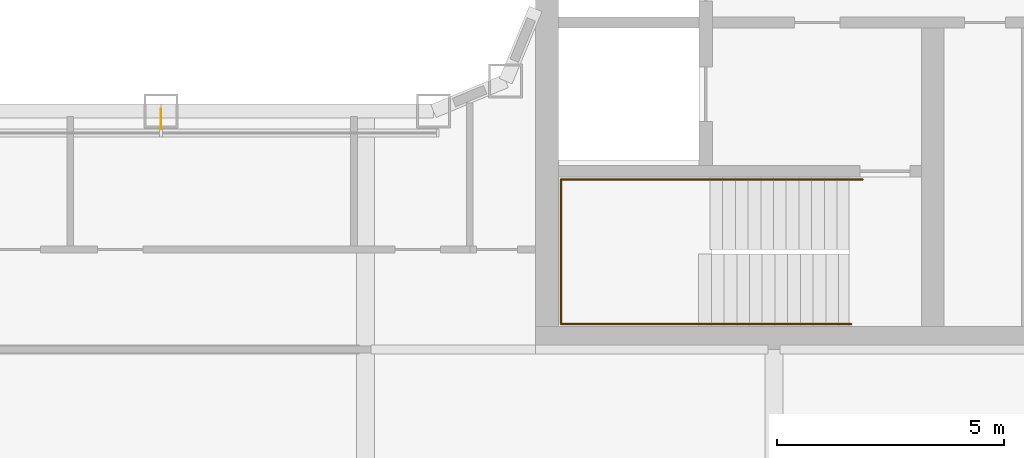
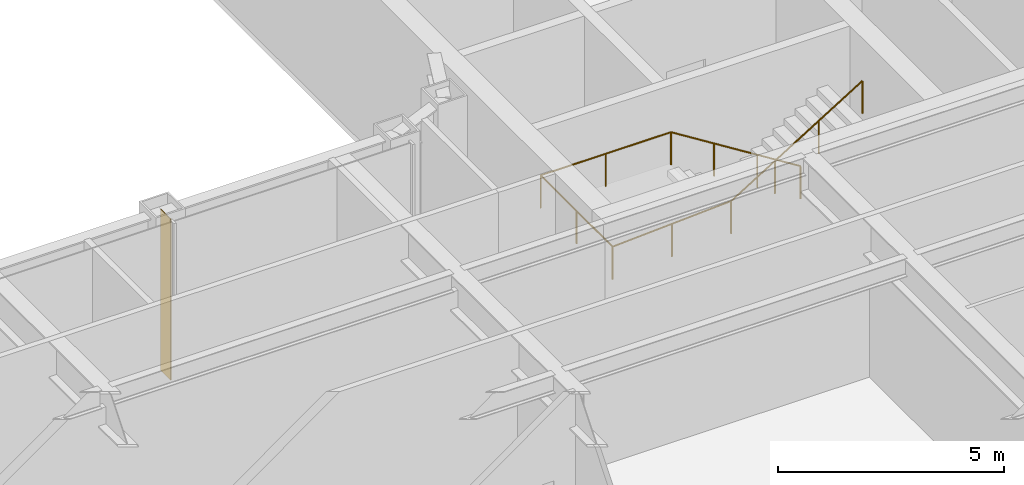
# One storey, part 25 of 29: 1 railing, 1 shading device.
"""IFC4 building model written with IfcOpenShell, lengths in metres."""

from ifc_helpers import new_model, si_unit, direction, frame, origin, origin_2d, place, context, subcontext, project, spatial, rectangle, circle, extrude, material, layer, layer_set, type_object, element, save


model = new_model("IFC4")

# Units and contexts
model_context = context("Model", 3, precision=1e-05, world=origin(), true_north=direction((0.0, 1.0)))
body_context = subcontext(model_context, "Body", "Model", "MODEL_VIEW")
ifc_project = project(units=[si_unit("LENGTHUNIT", "METRE"), si_unit("AREAUNIT", "SQUARE_METRE"), si_unit("VOLUMEUNIT", "CUBIC_METRE"), si_unit("PLANEANGLEUNIT", "RADIAN"), si_unit("MASSUNIT", "GRAM", prefix="KILO")], contexts=[model_context])

# Site, building, storey
site_placement = place(None, origin())
site = spatial("IfcSite", under=ifc_project, at=site_placement, CompositionType="ELEMENT")
building_placement = place(site_placement, origin())
building = spatial("IfcBuilding", under=site, at=building_placement, Name="Siwar Civic Tower", CompositionType="ELEMENT")
storey_placement = place(building_placement, frame((0.0, 0.0, 67.199951171875)))
storey = spatial("IfcBuildingStorey", under=building, at=storey_placement, Name="L14", CompositionType="ELEMENT", Elevation=67.199951171875)

# Railing
ifc_material_1 = material(Name="Stainless steel", Category="steel")
railing_type = type_object("IfcRailingType", Name="CORE-STAIR-HANDRAIL", PredefinedType="HANDRAIL", material=ifc_material_1)
railing_placement = place(storey_placement, frame((15.449951171875, -9.758056640625, 0.173095703125)))
element("IfcRailing", 1, at=railing_placement, inside=storey, type_object=railing_type, Name="Stair handrail ST4", PredefinedType="HANDRAIL", context=body_context, shape_type="SweptSolid", body=[
    extrude(circle(Radius=0.02001953125, at=origin_2d()), frame((0.0, 0.0, 0.8798828125), z_axis=(-0.847063342986, 0.0, 0.531491950051), x_axis=(0.0, -1.0, 0.0)), (0.0, 0.0, 1.0), 3.90771484375),
    extrude(circle(Radius=0.02001953125, at=origin_2d()), frame((-3.31005859375, 0.0, 2.956787109375), z_axis=(-1.0, 0.0, 0.0), x_axis=(0.0, -1.0, 0.0)), (0.0, 0.0, 1.0), 3.331787109375),
    extrude(circle(Radius=0.02001953125, at=origin_2d()), frame((-6.641845703125, 0.0, 2.956787109375), z_axis=(0.0, -1.0, 0.0), x_axis=(1.0, 0.0, 0.0)), (0.0, 0.0, 1.0), 3.183837890625),
    extrude(circle(Radius=0.02001953125, at=origin_2d()), frame((-6.641845703125, -3.183837890625, 2.956787109375), z_axis=(0.99837434197, 0.0, 0.056997134106), x_axis=(0.0, 1.0, 0.0)), (0.0, 0.0, 1.0), 3.036865234375),
    extrude(circle(Radius=0.02001953125, at=origin_2d()), frame((-3.60986328125, -3.183837890625, 3.1298828125), z_axis=(0.850606129759, 0.0, 0.525803396734), x_axis=(0.0, 1.0, 0.0)), (0.0, 0.0, 1.0), 3.949951171875),
    extrude(circle(Radius=0.02001953125, at=origin_2d()), origin(), (0.0, 0.0, 1.0), 0.85986328125),
    extrude(circle(Radius=0.02001953125, at=origin_2d()), frame((-1.103271484375, 0.0, 0.6923828125)), (0.0, 0.0, 1.0), 0.85986328125),
    extrude(circle(Radius=0.02001953125, at=origin_2d()), frame((-2.206787109375, 0.0, 1.384521484375)), (0.0, 0.0, 1.0), 0.85986328125),
    extrude(circle(Radius=0.02001953125, at=origin_2d()), frame((-3.31005859375, 0.0, 2.076904296875)), (0.0, 0.0, 1.0), 0.85986328125),
    extrude(circle(Radius=0.02001953125, at=origin_2d()), frame((-4.97607421875, 0.0, 2.076904296875)), (0.0, 0.0, 1.0), 0.85986328125),
    extrude(circle(Radius=0.02001953125, at=origin_2d()), frame((-6.641845703125, 0.0, 2.076904296875)), (0.0, 0.0, 1.0), 0.85986328125),
    extrude(circle(Radius=0.02001953125, at=origin_2d()), frame((-6.641845703125, -1.591796875, 2.076904296875)), (0.0, 0.0, 1.0), 0.85986328125),
    extrude(circle(Radius=0.02001953125, at=origin_2d()), frame((-6.641845703125, -3.183837890625, 2.076904296875)), (0.0, 0.0, 1.0), 0.85986328125),
    extrude(circle(Radius=0.02001953125, at=origin_2d()), frame((-5.1259765625, -3.183837890625, 2.16357421875)), (0.0, 0.0, 1.0), 0.85986328125),
    extrude(circle(Radius=0.02001953125, at=origin_2d()), frame((-3.60986328125, -3.183837890625, 2.25)), (0.0, 0.0, 1.0), 0.85986328125),
    extrude(circle(Radius=0.02001953125, at=origin_2d()), frame((-2.489990234375, -3.183837890625, 2.9423828125)), (0.0, 0.0, 1.0), 0.85986328125),
    extrude(circle(Radius=0.02001953125, at=origin_2d()), frame((-1.369873046875, -3.183837890625, 3.634521484375)), (0.0, 0.0, 1.0), 0.85986328125),
    extrude(circle(Radius=0.02001953125, at=origin_2d()), frame((-0.25, -3.183837890625, 4.326904296875)), (0.0, 0.0, 1.0), 0.85986328125),
])

# Shading device
ifc_material_2 = material(Name="Aluminium 6063-T6", Category="aluminium")
ifc_layer = layer(ifc_material_2, 0.02001953125)
ifc_layer_set = layer_set([ifc_layer], Name="Aluminium 6063-T6")
shading_device_type = type_object("IfcShadingDeviceType", Name="ENV-FIN", PredefinedType="JALOUSIE", material=ifc_layer_set)
shading_device_placement = place(storey_placement, frame((0.0, -8.419921875, 0.0), z_axis=(0.0, 0.0, 1.0), x_axis=(1.0, 0.0, 0.0)))
element("IfcShadingDevice", 2, at=shading_device_placement, inside=storey, type_object=shading_device_type, Name="SUNSHADE fin WS 1", PredefinedType="JALOUSIE", context=body_context, shape_type="SweptSolid", body=[
    extrude(rectangle(XDim=0.02001953125, YDim=0.449951171875, at=origin_2d()), origin(), (0.0, 0.0, 1.0), 4.35009765625),
])

save(model, "model.ifc")
